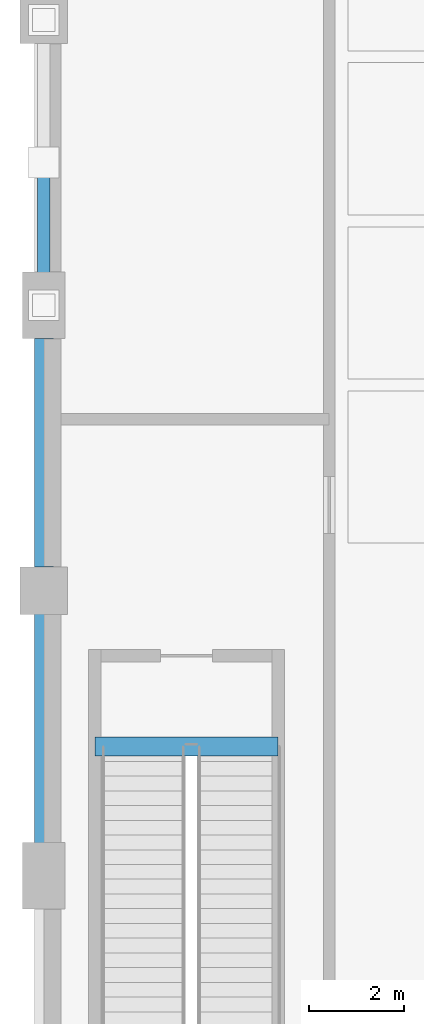
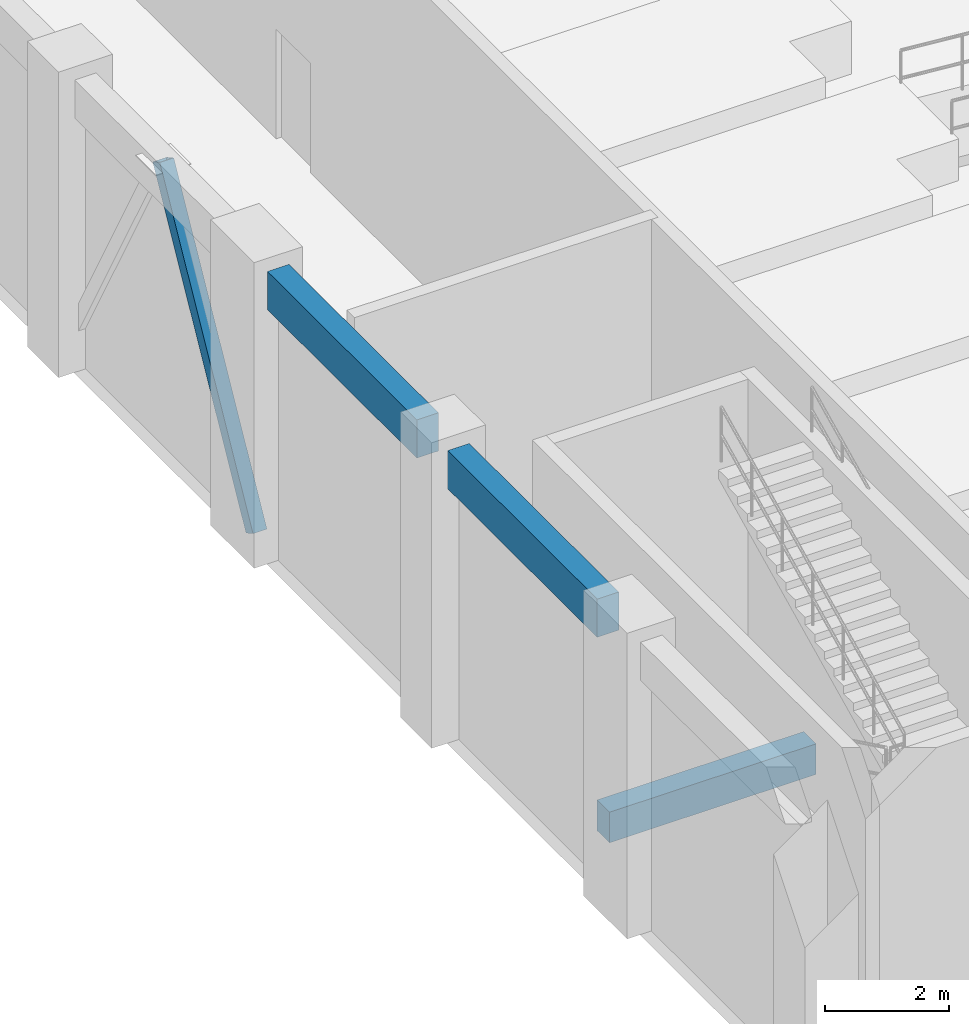
# One storey, part 26 of 106: 3 beams, 1 member.
"""IFC4 building model written with IfcOpenShell, lengths in metres."""

from ifc_helpers import new_model, si_unit, direction, frame, origin, origin_2d, place, context, subcontext, project, spatial, rectangle, hollow_rectangle, extrude, material, material_profile, profile_set, type_object, element, save


model = new_model("IFC4")

# Units and contexts
model_context = context("Model", 3, precision=1e-05, world=origin(), true_north=direction((0.0, 1.0)))
body_context = subcontext(model_context, "Body", "Model", "MODEL_VIEW")
ifc_project = project(units=[si_unit("LENGTHUNIT", "METRE"), si_unit("AREAUNIT", "SQUARE_METRE"), si_unit("VOLUMEUNIT", "CUBIC_METRE"), si_unit("PLANEANGLEUNIT", "RADIAN"), si_unit("MASSUNIT", "GRAM", prefix="KILO"), si_unit("THERMODYNAMICTEMPERATUREUNIT", "KELVIN"), si_unit("POWERUNIT", "WATT")], contexts=[model_context])

# Site, building, storey
site_placement = place(None, origin())
site = spatial("IfcSite", under=ifc_project, at=site_placement, CompositionType="ELEMENT")
building_placement = place(site_placement, origin())
building = spatial("IfcBuilding", under=site, at=building_placement, Name="Phaisarnlok Congress Hotel", CompositionType="ELEMENT")
storey_placement = place(building_placement, origin())
storey = spatial("IfcBuildingStorey", under=building, at=storey_placement, Name="L00", CompositionType="ELEMENT", Elevation=0.0)

# Beam
ifc_material_1 = material(Name="Concrete C40/50", Category="concrete")
ifc_material_profile_1 = material_profile(ifc_material_1, rectangle(XDim=0.39990234375, YDim=0.60009765625, at=origin_2d()), Name="RC 400x600")
ifc_profile_set_1 = profile_set([ifc_material_profile_1], Name="Concrete C40/50")
beam_type_1 = type_object("IfcBeamType", Name="BM-RC-400x600", PredefinedType="BEAM", material=ifc_profile_set_1)
beam_placement = place(storey_placement, frame((1.080078125, 50.719970703125, -0.300048828125), z_axis=(1.0, 0.0, 0.0), x_axis=(0.0, 1.0, 0.0)))
element("IfcBeam", 1, at=beam_placement, inside=storey, type_object=beam_type_1, Name="Stair landing header beam B-02 (STAIR-W L00)", PredefinedType="BEAM", context=body_context, shape_type="SweptSolid", body=[
    extrude(rectangle(XDim=0.39990234375, YDim=0.60009765625, at=origin_2d()), origin(), (0.0, 0.0, 1.0), 3.83984375),
])

# Member
ifc_material_2 = material(Name="Steel S355", Category="steel")
ifc_material_profile_2 = material_profile(ifc_material_2, hollow_rectangle(XDim=0.260009765625, YDim=0.260009765625, WallThickness=0.01611328125, at=origin_2d()), Name="SHS 260x260x16")
ifc_profile_set_2 = profile_set([ifc_material_profile_2], Name="Steel S355")
member_type = type_object("IfcMemberType", Name="MEM-BRC-SHS260-EXT", PredefinedType="BRACE", material=ifc_profile_set_2)
member_placement = place(storey_placement, frame((0.0, 60.0, 0.14990234375), z_axis=(0.0, 0.480857843522, 0.876798571123), x_axis=(-1.0, 0.0, 0.0)))
element("IfcMember", 2, at=member_placement, inside=storey, type_object=member_type, Name="Lateral braced frame diagonal", PredefinedType="BRACE", context=body_context, shape_type="SweptSolid", body=[
    extrude(hollow_rectangle(XDim=0.260009765625, YDim=0.260009765625, WallThickness=0.01611328125, at=origin_2d()), origin(), (0.0, 0.0, 1.0), 6.23876953125),
])

# Beams
ifc_material_profile_3 = material_profile(ifc_material_1, rectangle(XDim=0.39990234375, YDim=0.75, at=origin_2d()), Name="RC 400x750")
ifc_profile_set_3 = profile_set([ifc_material_profile_3], Name="Concrete C40/50")
beam_type_2 = type_object("IfcBeamType", Name="SP-RC-400x750", PredefinedType="SPANDREL", material=ifc_profile_set_3)
for number, where, z_axis, x_axis, name in (
    (3, (0.0, 48.695068359375, 5.364990234375), (0.0, 1.0, 0.0), (-1.0, 0.0, 0.0), "Beam SP-02"),
    (4, (0.0, 54.4951171875, 5.364990234375), (0.0, 1.0, 0.0), (-1.0, 0.0, 0.0), "Beam SP-02"),
):
    element("IfcBeam", number, at=place(storey_placement, frame(where, z_axis=z_axis, x_axis=x_axis)), inside=storey, type_object=beam_type_2, Name=name, PredefinedType="SPANDREL", context=body_context, shape_type="SweptSolid", body=[
        extrude(rectangle(XDim=0.39990234375, YDim=0.75, at=origin_2d()), origin(), (0.0, 0.0, 1.0), 4.809814453125),
    ])

save(model, "model.ifc")
